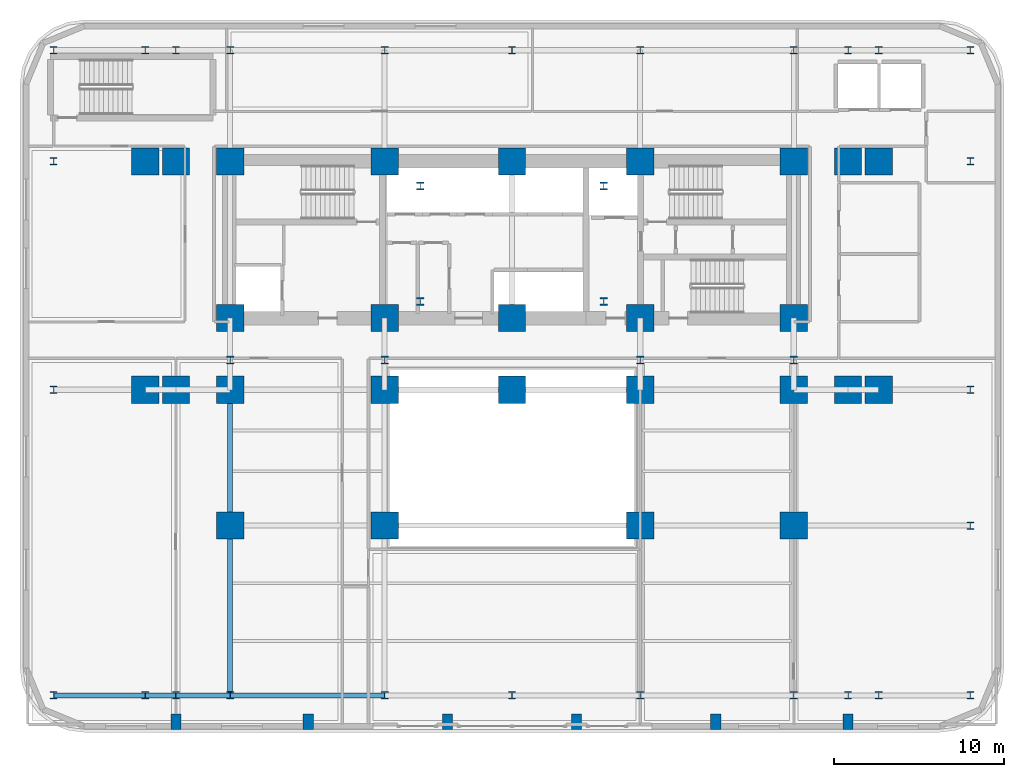
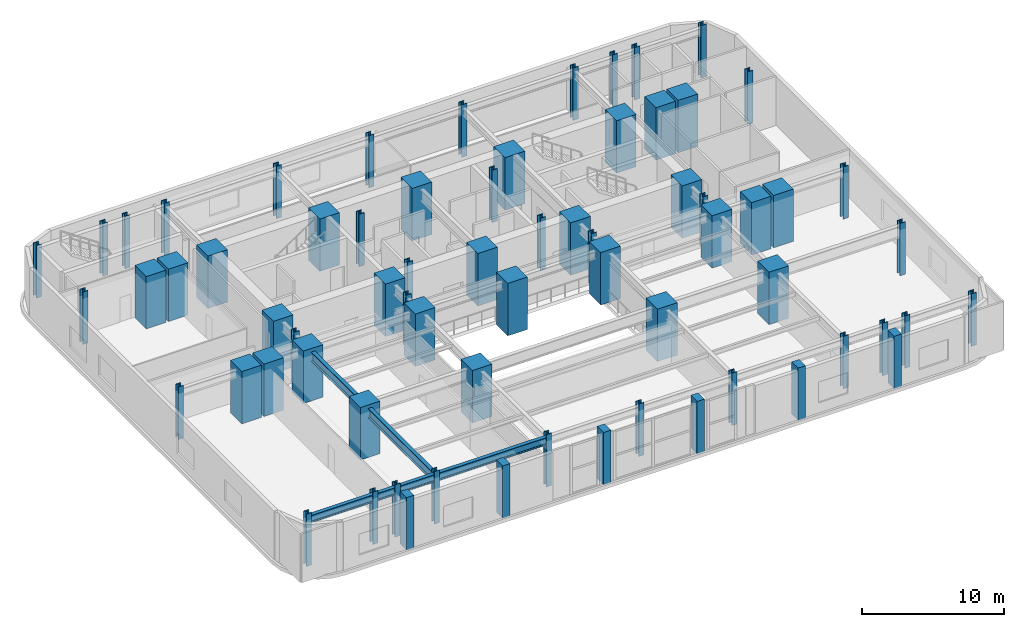
# One storey, part 1 of 14: 68 columns, 6 beams.
"""IFC4 building model written with IfcOpenShell, lengths in metres."""

from ifc_helpers import new_model, si_unit, direction, frame, origin, origin_2d, place, context, subcontext, project, spatial, rectangle, i_section, extrude, material, material_profile, profile_set, type_object, element, save


model = new_model("IFC4")

# Units and contexts
model_context = context("Model", 3, precision=1e-05, world=origin(), true_north=direction((0.0, 1.0)))
body_context = subcontext(model_context, "Body", "Model", "MODEL_VIEW")
ifc_project = project(units=[si_unit("LENGTHUNIT", "METRE"), si_unit("AREAUNIT", "SQUARE_METRE"), si_unit("VOLUMEUNIT", "CUBIC_METRE"), si_unit("PLANEANGLEUNIT", "RADIAN"), si_unit("MASSUNIT", "GRAM", prefix="KILO")], contexts=[model_context])

# Site, building, storey
site_placement = place(None, origin())
site = spatial("IfcSite", under=ifc_project, at=site_placement, CompositionType="ELEMENT")
building_placement = place(site_placement, origin())
building = spatial("IfcBuilding", under=site, at=building_placement, Name="Zarnavel Station Tower", CompositionType="ELEMENT")
storey_placement = place(building_placement, frame((0.0, 0.0, 10.39990234375)))
storey = spatial("IfcBuildingStorey", under=building, at=storey_placement, Name="L03", CompositionType="ELEMENT", Elevation=10.39990234375)

# Columns
ifc_material_1 = material(Name="Steel S460M", Category="steel")
ifc_material_profile_1 = material_profile(ifc_material_1, i_section(OverallWidth=0.424072265625, OverallDepth=0.449951171875, WebThickness=0.041015625, FlangeThickness=0.06494140625, FilletRadius=0.014892578125, at=origin_2d()), Name="HD400x509")
ifc_profile_set_1 = profile_set([ifc_material_profile_1], Name="Steel S460M")
column_type_1 = type_object("IfcColumnType", Name="EC_HD509", PredefinedType="COLUMN", material=ifc_profile_set_1)
for number, where, z_axis, x_axis, name in (
    (1, (1.800048828125, 5.60009765625, 0.0), (0.0, 0.0, 1.0), (1.0, 0.0, 0.0), "L03 Perimeter Column 1-1"),
    (2, (1.800048828125, 23.60009765625, 0.0), (0.0, 0.0, 1.0), (1.0, 0.0, 0.0), "L03 Perimeter Column 1-3"),
    (3, (1.800048828125, 37.050048828125, 0.0), (0.0, 0.0, 1.0), (1.0, 0.0, 0.0), "L03 Perimeter Column 1-4"),
    (4, (1.800048828125, 43.60009765625, 0.0), (0.0, 0.0, 1.0), (1.0, 0.0, 0.0), "L03 Perimeter Column 1-5"),
    (5, (7.199951171875, 5.60009765625, 0.0), (0.0, 0.0, 1.0), (1.0, 0.0, 0.0), "L03 Perimeter Column 2-1"),
    (6, (7.199951171875, 43.60009765625, 0.0), (0.0, 0.0, 1.0), (1.0, 0.0, 0.0), "L03 Perimeter Column 2-5"),
    (7, (9.0, 5.60009765625, 0.0), (0.0, 0.0, 1.0), (1.0, 0.0, 0.0), "L03 Perimeter Column 3-1"),
    (8, (9.0, 43.60009765625, 0.0), (0.0, 0.0, 1.0), (1.0, 0.0, 0.0), "L03 Perimeter Column 3-5"),
    (9, (12.199951171875, 5.60009765625, 0.0), (0.0, 0.0, 1.0), (1.0, 0.0, 0.0), "L03 Perimeter Column 4-1"),
    (10, (12.199951171875, 43.60009765625, 0.0), (0.0, 0.0, 1.0), (1.0, 0.0, 0.0), "L03 Perimeter Column 4-5"),
    (11, (21.300048828125, 5.60009765625, 0.0), (0.0, 0.0, 1.0), (1.0, 0.0, 0.0), "L03 Perimeter Column 5-1"),
    (12, (21.300048828125, 43.60009765625, 0.0), (0.0, 0.0, 1.0), (1.0, 0.0, 0.0), "L03 Perimeter Column 5-5"),
    (13, (28.800048828125, 5.60009765625, 0.0), (0.0, 0.0, 1.0), (1.0, 0.0, 0.0), "L03 Perimeter Column 6-1"),
    (14, (28.800048828125, 43.60009765625, 0.0), (0.0, 0.0, 1.0), (1.0, 0.0, 0.0), "L03 Perimeter Column 6-5"),
    (15, (36.35009765625, 5.60009765625, 0.0), (0.0, 0.0, 1.0), (1.0, 0.0, 0.0), "L03 Perimeter Column 7-1"),
    (16, (36.35009765625, 43.60009765625, 0.0), (0.0, 0.0, 1.0), (1.0, 0.0, 0.0), "L03 Perimeter Column 7-5"),
    (17, (45.39990234375, 5.60009765625, 0.0), (0.0, 0.0, 1.0), (1.0, 0.0, 0.0), "L03 Perimeter Column 8-1"),
    (18, (45.39990234375, 43.60009765625, 0.0), (0.0, 0.0, 1.0), (1.0, 0.0, 0.0), "L03 Perimeter Column 8-5"),
    (19, (48.60009765625, 5.60009765625, 0.0), (0.0, 0.0, 1.0), (1.0, 0.0, 0.0), "L03 Perimeter Column 9-1"),
    (20, (48.60009765625, 43.60009765625, 0.0), (0.0, 0.0, 1.0), (1.0, 0.0, 0.0), "L03 Perimeter Column 9-5"),
    (21, (50.39990234375, 5.60009765625, 0.0), (0.0, 0.0, 1.0), (1.0, 0.0, 0.0), "L03 Perimeter Column 10-1"),
    (22, (50.39990234375, 43.60009765625, 0.0), (0.0, 0.0, 1.0), (1.0, 0.0, 0.0), "L03 Perimeter Column 10-5"),
    (23, (55.800048828125, 5.60009765625, 0.0), (0.0, 0.0, 1.0), (1.0, 0.0, 0.0), "L03 Perimeter Column 11-1"),
    (24, (55.800048828125, 15.60009765625, 0.0), (0.0, 0.0, 1.0), (1.0, 0.0, 0.0), "L03 Perimeter Column 11-2"),
    (25, (55.800048828125, 23.60009765625, 0.0), (0.0, 0.0, 1.0), (1.0, 0.0, 0.0), "L03 Perimeter Column 11-3"),
    (26, (55.800048828125, 37.050048828125, 0.0), (0.0, 0.0, 1.0), (1.0, 0.0, 0.0), "L03 Perimeter Column 11-4"),
    (27, (55.800048828125, 43.60009765625, 0.0), (0.0, 0.0, 1.0), (1.0, 0.0, 0.0), "L03 Perimeter Column 11-5"),
):
    element("IfcColumn", number, at=place(storey_placement, frame(where, z_axis=z_axis, x_axis=x_axis)), inside=storey, type_object=column_type_1, Name=name, PredefinedType="COLUMN", context=body_context, shape_type="SweptSolid", body=[
        extrude(i_section(OverallWidth=0.424072265625, OverallDepth=0.449951171875, WebThickness=0.041015625, FlangeThickness=0.06494140625, FilletRadius=0.014892578125, at=origin_2d()), origin(), (0.0, 0.0, 1.0), 4.5),
    ])
ifc_material_2 = material(Name="Steel S460M", Category="steel")
ifc_material_profile_2 = material_profile(ifc_material_2, i_section(OverallWidth=0.427978515625, OverallDepth=0.465087890625, WebThickness=0.044921875, FlangeThickness=0.072998046875, FilletRadius=0.014892578125, at=origin_2d()), Name="HD400x592")
ifc_profile_set_2 = profile_set([ifc_material_profile_2], Name="Steel S460M")
column_type_2 = type_object("IfcColumnType", Name="IC_HD592", PredefinedType="COLUMN", material=ifc_profile_set_2)
for number, where, z_axis, x_axis, name in (
    (28, (23.39990234375, 28.800048828125, 0.0), (0.0, 0.0, 1.0), (1.0, 0.0, 0.0), "L03 Mast Spine Column 1"),
    (29, (34.199951171875, 28.800048828125, 0.0), (0.0, 0.0, 1.0), (1.0, 0.0, 0.0), "L03 Mast Spine Column 2"),
    (30, (34.199951171875, 35.60009765625, 0.0), (0.0, 0.0, 1.0), (1.0, 0.0, 0.0), "L03 Mast Spine Column 3"),
    (31, (23.39990234375, 35.60009765625, 0.0), (0.0, 0.0, 1.0), (1.0, 0.0, 0.0), "L03 Mast Spine Column 4"),
    (32, (12.199951171875, 25.35009765625, 0.0), (0.0, 0.0, 1.0), (1.0, 0.0, 0.0), "L03 Inner Spine Column 1"),
    (33, (21.300048828125, 25.35009765625, 0.0), (0.0, 0.0, 1.0), (1.0, 0.0, 0.0), "L03 Inner Spine Column 2"),
    (34, (36.35009765625, 25.35009765625, 0.0), (0.0, 0.0, 1.0), (1.0, 0.0, 0.0), "L03 Inner Spine Column 4"),
    (35, (45.39990234375, 25.35009765625, 0.0), (0.0, 0.0, 1.0), (1.0, 0.0, 0.0), "L03 Inner Spine Column 5"),
):
    element("IfcColumn", number, at=place(storey_placement, frame(where, z_axis=z_axis, x_axis=x_axis)), inside=storey, type_object=column_type_2, Name=name, PredefinedType="COLUMN", context=body_context, shape_type="SweptSolid", body=[
        extrude(i_section(OverallWidth=0.427978515625, OverallDepth=0.465087890625, WebThickness=0.044921875, FlangeThickness=0.072998046875, FilletRadius=0.014892578125, at=origin_2d()), origin(), (0.0, 0.0, 1.0), 4.5),
    ])
ifc_material_3 = material(Name="Concrete C60/75", Category="concrete")
ifc_material_profile_3 = material_profile(ifc_material_3, rectangle(XDim=1.60009765625, YDim=1.60009765625, at=origin_2d()), Name="RC1600x1600")
ifc_profile_set_3 = profile_set([ifc_material_profile_3], Name="Concrete C60/75")
column_type_3 = type_object("IfcColumnType", Name="IC_RC1600", PredefinedType="COLUMN", material=ifc_profile_set_3)
for number, where, z_axis, x_axis, name in (
    (36, (12.199951171875, 27.820068359375, 0.0), (0.0, 0.0, 1.0), (1.0, 0.0, 0.0), "L03 Core Spine Column 1-1"),
    (37, (12.199951171875, 37.050048828125, 0.0), (0.0, 0.0, 1.0), (1.0, 0.0, 0.0), "L03 Core Spine Column 1-2"),
    (38, (21.300048828125, 27.820068359375, 0.0), (0.0, 0.0, 1.0), (1.0, 0.0, 0.0), "L03 Core Spine Column 2-1"),
    (39, (21.300048828125, 37.050048828125, 0.0), (0.0, 0.0, 1.0), (1.0, 0.0, 0.0), "L03 Core Spine Column 2-2"),
    (40, (28.800048828125, 27.820068359375, 0.0), (0.0, 0.0, 1.0), (1.0, 0.0, 0.0), "L03 Core Spine Column 3-1"),
    (41, (28.800048828125, 37.050048828125, 0.0), (0.0, 0.0, 1.0), (1.0, 0.0, 0.0), "L03 Core Spine Column 3-2"),
    (42, (36.35009765625, 27.820068359375, 0.0), (0.0, 0.0, 1.0), (1.0, 0.0, 0.0), "L03 Core Spine Column 4-1"),
    (43, (36.35009765625, 37.050048828125, 0.0), (0.0, 0.0, 1.0), (1.0, 0.0, 0.0), "L03 Core Spine Column 4-2"),
    (44, (45.39990234375, 27.820068359375, 0.0), (0.0, 0.0, 1.0), (1.0, 0.0, 0.0), "L03 Core Spine Column 5-1"),
    (45, (45.39990234375, 37.050048828125, 0.0), (0.0, 0.0, 1.0), (1.0, 0.0, 0.0), "L03 Core Spine Column 5-2"),
    (46, (7.199951171875, 23.60009765625, 0.0), (0.0, 0.0, 1.0), (1.0, 0.0, 0.0), "L03 Podium Column 2-3"),
    (47, (7.199951171875, 37.050048828125, 0.0), (0.0, 0.0, 1.0), (1.0, 0.0, 0.0), "L03 Podium Column 2-4"),
    (48, (9.0, 23.60009765625, 0.0), (0.0, 0.0, 1.0), (1.0, 0.0, 0.0), "L03 Podium Column 3-3"),
    (49, (9.0, 37.050048828125, 0.0), (0.0, 0.0, 1.0), (1.0, 0.0, 0.0), "L03 Podium Column 3-4"),
    (50, (12.199951171875, 15.60009765625, 0.0), (0.0, 0.0, 1.0), (1.0, 0.0, 0.0), "L03 Podium Column 4-2"),
    (51, (12.199951171875, 23.60009765625, 0.0), (0.0, 0.0, 1.0), (1.0, 0.0, 0.0), "L03 Podium Column 4-3"),
    (52, (21.300048828125, 15.60009765625, 0.0), (0.0, 0.0, 1.0), (1.0, 0.0, 0.0), "L03 Podium Column 5-2"),
    (53, (21.300048828125, 23.60009765625, 0.0), (0.0, 0.0, 1.0), (1.0, 0.0, 0.0), "L03 Podium Column 5-3"),
    (54, (28.800048828125, 23.60009765625, 0.0), (0.0, 0.0, 1.0), (1.0, 0.0, 0.0), "L03 Podium Column 6-3"),
    (55, (36.35009765625, 15.60009765625, 0.0), (0.0, 0.0, 1.0), (1.0, 0.0, 0.0), "L03 Podium Column 7-2"),
    (56, (36.35009765625, 23.60009765625, 0.0), (0.0, 0.0, 1.0), (1.0, 0.0, 0.0), "L03 Podium Column 7-3"),
    (57, (45.39990234375, 15.60009765625, 0.0), (0.0, 0.0, 1.0), (1.0, 0.0, 0.0), "L03 Podium Column 8-2"),
    (58, (45.39990234375, 23.60009765625, 0.0), (0.0, 0.0, 1.0), (1.0, 0.0, 0.0), "L03 Podium Column 8-3"),
    (59, (48.60009765625, 23.60009765625, 0.0), (0.0, 0.0, 1.0), (1.0, 0.0, 0.0), "L03 Podium Column 9-3"),
    (60, (48.60009765625, 37.050048828125, 0.0), (0.0, 0.0, 1.0), (1.0, 0.0, 0.0), "L03 Podium Column 9-4"),
    (61, (50.39990234375, 23.60009765625, 0.0), (0.0, 0.0, 1.0), (1.0, 0.0, 0.0), "L03 Podium Column 10-3"),
    (62, (50.39990234375, 37.050048828125, 0.0), (0.0, 0.0, 1.0), (1.0, 0.0, 0.0), "L03 Podium Column 10-4"),
):
    element("IfcColumn", number, at=place(storey_placement, frame(where, z_axis=z_axis, x_axis=x_axis)), inside=storey, type_object=column_type_3, Name=name, PredefinedType="COLUMN", context=body_context, shape_type="SweptSolid", body=[
        extrude(rectangle(XDim=1.60009765625, YDim=1.60009765625, at=origin_2d()), origin(), (0.0, 0.0, 1.0), 4.5),
    ])
ifc_material_4 = material(Name="Precast concrete C45/55", Category="concrete")
ifc_material_profile_4 = material_profile(ifc_material_4, rectangle(XDim=0.60009765625, YDim=0.89990234375, at=origin_2d()), Name="RC600x900")
ifc_profile_set_4 = profile_set([ifc_material_profile_4], Name="Precast concrete C45/55")
column_type_4 = type_object("IfcColumnType", Name="PL_BASALT", PredefinedType="PILASTER", material=ifc_profile_set_4)
for number, where, z_axis, x_axis, name in (
    (63, (9.0, 4.050048828125, 0.0), (0.0, 0.0, 1.0), (1.0, 0.0, 0.0), "L03 Basalt Facade Pilaster S1"),
    (64, (16.800048828125, 4.050048828125, 0.0), (0.0, 0.0, 1.0), (1.0, 0.0, 0.0), "L03 Basalt Facade Pilaster S2"),
    (65, (25.0, 4.050048828125, 0.0), (0.0, 0.0, 1.0), (1.0, 0.0, 0.0), "L03 Basalt Facade Pilaster S3"),
    (66, (32.60009765625, 4.050048828125, 0.0), (0.0, 0.0, 1.0), (1.0, 0.0, 0.0), "L03 Basalt Facade Pilaster S4"),
    (67, (40.800048828125, 4.050048828125, 0.0), (0.0, 0.0, 1.0), (1.0, 0.0, 0.0), "L03 Basalt Facade Pilaster S5"),
    (68, (48.60009765625, 4.050048828125, 0.0), (0.0, 0.0, 1.0), (1.0, 0.0, 0.0), "L03 Basalt Facade Pilaster S6"),
):
    element("IfcColumn", number, at=place(storey_placement, frame(where, z_axis=z_axis, x_axis=x_axis)), inside=storey, type_object=column_type_4, Name=name, PredefinedType="PILASTER", context=body_context, shape_type="SweptSolid", body=[
        extrude(rectangle(XDim=0.60009765625, YDim=0.89990234375, at=origin_2d()), origin(), (0.0, 0.0, 1.0), 4.5),
    ])

# Beams
ifc_material_5 = material(Name="Steel S355J2", Category="steel")
ifc_material_profile_5 = material_profile(ifc_material_5, i_section(OverallWidth=0.300048828125, OverallDepth=0.64990234375, WebThickness=0.01611328125, FlangeThickness=0.031005859375, FilletRadius=0.027099609375, at=origin_2d()), Name="HEB650")
ifc_profile_set_5 = profile_set([ifc_material_profile_5], Name="Steel S355J2")
beam_type_1 = type_object("IfcBeamType", Name="FG_HEB650", PredefinedType="USERDEFINED", material=ifc_profile_set_5)
beam_1_placement = place(storey_placement, frame((1.800048828125, 5.60009765625, 3.875), z_axis=(1.0, 0.0, 0.0), x_axis=(0.0, 1.0, 0.0)))
element("IfcBeam", 69, at=beam_1_placement, inside=storey, type_object=beam_type_1, Name="L03 EW Frame Girder 1-1", ObjectType="GIRDER", PredefinedType="USERDEFINED", context=body_context, shape_type="SweptSolid", body=[
    extrude(i_section(OverallWidth=0.300048828125, OverallDepth=0.64990234375, WebThickness=0.01611328125, FlangeThickness=0.031005859375, FilletRadius=0.027099609375, at=origin_2d()), origin(), (0.0, 0.0, 1.0), 5.39990234375),
])
beam_2_placement = place(storey_placement, frame((7.199951171875, 5.60009765625, 3.875), z_axis=(1.0, 0.0, 0.0), x_axis=(0.0, 1.0, 0.0)))
element("IfcBeam", 70, at=beam_2_placement, inside=storey, type_object=beam_type_1, Name="L03 EW Frame Girder 1-2", ObjectType="GIRDER", PredefinedType="USERDEFINED", context=body_context, shape_type="SweptSolid", body=[
    extrude(i_section(OverallWidth=0.300048828125, OverallDepth=0.64990234375, WebThickness=0.01611328125, FlangeThickness=0.031005859375, FilletRadius=0.027099609375, at=origin_2d()), origin(), (0.0, 0.0, 1.0), 1.800048828125),
])
beam_3_placement = place(storey_placement, frame((9.0, 5.60009765625, 3.875), z_axis=(1.0, 0.0, 0.0), x_axis=(0.0, 1.0, 0.0)))
element("IfcBeam", 71, at=beam_3_placement, inside=storey, type_object=beam_type_1, Name="L03 EW Frame Girder 1-3", ObjectType="GIRDER", PredefinedType="USERDEFINED", context=body_context, shape_type="SweptSolid", body=[
    extrude(i_section(OverallWidth=0.300048828125, OverallDepth=0.64990234375, WebThickness=0.01611328125, FlangeThickness=0.031005859375, FilletRadius=0.027099609375, at=origin_2d()), origin(), (0.0, 0.0, 1.0), 3.199951171875),
])
beam_4_placement = place(storey_placement, frame((12.199951171875, 5.60009765625, 3.875), z_axis=(1.0, 0.0, 0.0), x_axis=(0.0, 1.0, 0.0)))
element("IfcBeam", 72, at=beam_4_placement, inside=storey, type_object=beam_type_1, Name="L03 EW Frame Girder 1-4", ObjectType="GIRDER", PredefinedType="USERDEFINED", context=body_context, shape_type="SweptSolid", body=[
    extrude(i_section(OverallWidth=0.300048828125, OverallDepth=0.64990234375, WebThickness=0.01611328125, FlangeThickness=0.031005859375, FilletRadius=0.027099609375, at=origin_2d()), origin(), (0.0, 0.0, 1.0), 9.10009765625),
])
ifc_material_6 = material(Name="Steel S460M", Category="steel")
ifc_material_profile_6 = material_profile(ifc_material_6, i_section(OverallWidth=0.302978515625, OverallDepth=0.81396484375, WebThickness=0.02099609375, FlangeThickness=0.0400390625, FilletRadius=0.030029296875, at=origin_2d()), Name="HEM800")
ifc_profile_set_6 = profile_set([ifc_material_profile_6], Name="Steel S460M")
beam_type_2 = type_object("IfcBeamType", Name="FG_HEM800", PredefinedType="USERDEFINED", material=ifc_profile_set_6)
beam_5_placement = place(storey_placement, frame((12.199951171875, 5.60009765625, 3.793212890625), z_axis=(0.0, 1.0, 0.0), x_axis=(-1.0, 0.0, 0.0)))
element("IfcBeam", 73, at=beam_5_placement, inside=storey, type_object=beam_type_2, Name="L03 NS Girder South 1", ObjectType="GIRDER", PredefinedType="USERDEFINED", context=body_context, shape_type="SweptSolid", body=[
    extrude(i_section(OverallWidth=0.302978515625, OverallDepth=0.81396484375, WebThickness=0.02099609375, FlangeThickness=0.0400390625, FilletRadius=0.030029296875, at=origin_2d()), origin(), (0.0, 0.0, 1.0), 10.0),
])
beam_6_placement = place(storey_placement, frame((12.199951171875, 15.60009765625, 3.793212890625), z_axis=(0.0, 1.0, 0.0), x_axis=(-1.0, 0.0, 0.0)))
element("IfcBeam", 74, at=beam_6_placement, inside=storey, type_object=beam_type_2, Name="L03 NS Girder Mid 1", ObjectType="GIRDER", PredefinedType="USERDEFINED", context=body_context, shape_type="SweptSolid", body=[
    extrude(i_section(OverallWidth=0.302978515625, OverallDepth=0.81396484375, WebThickness=0.02099609375, FlangeThickness=0.0400390625, FilletRadius=0.030029296875, at=origin_2d()), origin(), (0.0, 0.0, 1.0), 8.0),
])

save(model, "model.ifc")
